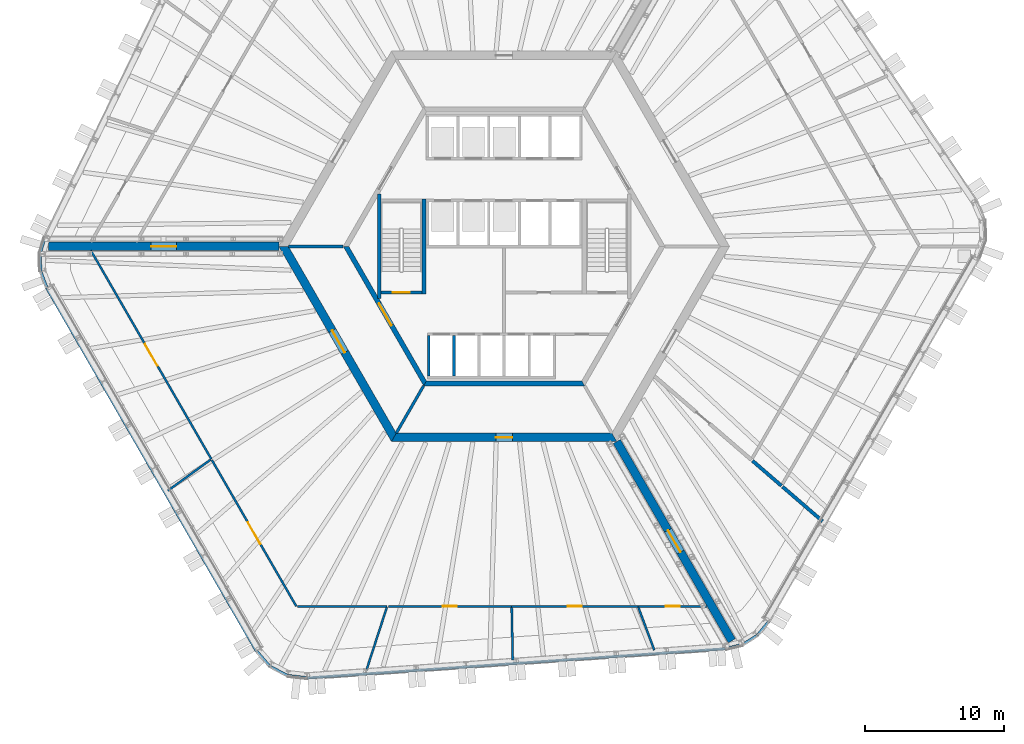
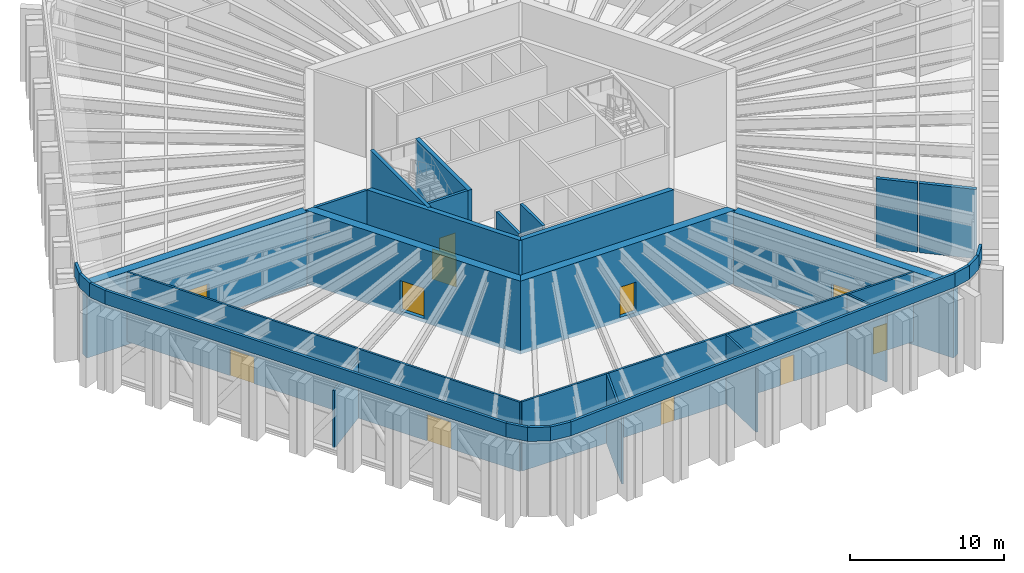
# One storey, part 13 of 27: 36 walls, 11 doors, 11 openings.
"""IFC4 building model written with IfcOpenShell, lengths in metres."""

from ifc_helpers import new_model, si_unit, direction, frame, frame_2d, origin, place, context, subcontext, project, spatial, polyline, rectangle, outline, extrude, material, layer, layer_set, type_object, element, fill, save


model = new_model("IFC4")

# Units and contexts
model_context = context("Model", 3, precision=1e-05, world=origin(), true_north=direction((0.0, 1.0)))
body_context = subcontext(model_context, "Body", "Model", "MODEL_VIEW")
ifc_project = project(units=[si_unit("LENGTHUNIT", "METRE"), si_unit("AREAUNIT", "SQUARE_METRE"), si_unit("VOLUMEUNIT", "CUBIC_METRE"), si_unit("PLANEANGLEUNIT", "RADIAN"), si_unit("MASSUNIT", "GRAM", prefix="KILO")], contexts=[model_context])

# Site, building, storey
site_placement = place(None, origin())
site = spatial("IfcSite", under=ifc_project, at=site_placement, CompositionType="ELEMENT")
building_placement = place(site_placement, origin())
building = spatial("IfcBuilding", under=site, at=building_placement, Name="Tarnside Tower", CompositionType="ELEMENT")
storey_placement = place(building_placement, frame((0.0, 0.0, 146.699951171875)))
storey = spatial("IfcBuildingStorey", under=building, at=storey_placement, Name="L34", CompositionType="ELEMENT", Elevation=146.699951171875)

# Wall, opening, door
ifc_material_1 = material(Name="Concrete C50/60", Category="concrete")
ifc_layer_1 = layer(ifc_material_1, 0.35009765625)
ifc_layer_set_1 = layer_set([ifc_layer_1], Name="Core block wall 350 C50/60")
wall_type_1 = type_object("IfcWallType", Name="Core block wall 350 C50/60", PredefinedType="SHEAR", material=ifc_layer_set_1)
wall_1_placement = place(storey_placement, frame((-11.344970703125, 0.0, -0.300048828125), z_axis=(0.0, 0.0, 1.0), x_axis=(0.499995046907, -0.866028263435, 0.0)))
wall_1 = element("IfcWall", 1, at=wall_1_placement, inside=storey, type_object=wall_type_1, Name="L34 core block wall face 3", PredefinedType="SHEAR", context=body_context, shape_type="SweptSolid", body=[
    extrude(outline(polyline([(-0.10107421875, -0.175048828125), (11.44580078125, -0.175048828125), (11.24365234375, 0.175048828125), (0.10107421875, 0.175048828125), (-0.10107421875, -0.175048828125)])), origin(), (0.0, 0.0, 1.0), 5.800048828125),
])
opening_1_placement = place(wall_1_placement, frame((4.74365234375, 0.0, 0.300048828125)))
opening_1 = element("IfcOpeningElement", 2, at=opening_1_placement, cuts=wall_1, Name="Opening CD-FFL", PredefinedType="OPENING", context=body_context, shape_type="SweptSolid", body=[
    extrude(rectangle(XDim=1.800048828125, YDim=2.39990234375, at=frame_2d((0.89990234375, 1.199951171875))), frame((0.0, 0.18505859375, 0.0), z_axis=(0.0, -1.0, 0.0), x_axis=(1.0, 0.0, 0.0)), (0.0, 0.0, 1.0), 0.3701171875),
])
ifc_material_2 = material(Name="Steel fire door", Category="steel")
door_type_1 = type_object("IfcDoorType", Name="Firefighting lobby double door FD60S 1800x2400", OperationType="NOTDEFINED", PredefinedType="DOOR", material=ifc_material_2)
door_1_placement = place(opening_1_placement, origin())
door_1 = element("IfcDoor", 3, at=door_1_placement, inside=storey, type_object=door_type_1, Name="L34 lobby block door P3", OperationType="DOUBLE_DOOR_SINGLE_SWING", OverallHeight=2.39990234375, OverallWidth=1.800048828125, PredefinedType="DOOR", context=body_context, shape_type="SweptSolid", body=[
    extrude(rectangle(XDim=1.800048828125, YDim=2.39990234375, at=frame_2d((0.89990234375, 1.199951171875))), frame((0.0, 0.02490234375, 0.0), z_axis=(0.0, -1.0, 0.0), x_axis=(1.0, 0.0, 0.0)), (0.0, 0.0, 1.0), 0.050048828125),
])
fill(opening_1, door_1)

# Wall
wall_2_placement = place(storey_placement, frame((-5.672607421875, -9.824951171875, -0.300048828125), z_axis=(0.0, 0.0, 1.0), x_axis=(1.0, 0.0, 0.0)))
element("IfcWall", 4, at=wall_2_placement, inside=storey, type_object=wall_type_1, Name="L34 core block wall face 4", PredefinedType="SHEAR", context=body_context, shape_type="SweptSolid", body=[
    extrude(outline(polyline([(-0.10107421875, -0.175048828125), (11.4462890625, -0.175048828125), (11.244140625, 0.175048828125), (0.10107421875, 0.175048828125), (-0.10107421875, -0.175048828125)])), origin(), (0.0, 0.0, 1.0), 5.800048828125),
])

# Wall, opening, door
ifc_material_3 = material(Name="Concrete C80/95", Category="concrete")
ifc_layer_2 = layer(ifc_material_3, 0.60009765625)
ifc_layer_set_2 = layer_set([ifc_layer_2], Name="Core wall Z1 600 C80/95")
wall_type_2 = type_object("IfcWallType", Name="Core wall Z1 600 C80/95", PredefinedType="SHEAR", material=ifc_layer_set_2)
wall_3_placement = place(storey_placement, frame((-15.8193359375, 0.0, -0.300048828125), z_axis=(0.0, 0.0, 1.0), x_axis=(0.499999880136, -0.866025472988, 0.0)))
wall_3 = element("IfcWall", 5, at=wall_3_placement, inside=storey, type_object=wall_type_2, Name="L34 core wall face 3", PredefinedType="SHEAR", context=body_context, shape_type="SweptSolid", body=[
    extrude(outline(polyline([(-0.17333984375, -0.300048828125), (15.99267578125, -0.300048828125), (15.64599609375, 0.300048828125), (0.17333984375, 0.300048828125), (-0.17333984375, -0.300048828125)])), origin(), (0.0, 0.0, 1.0), 5.800048828125),
])
opening_2_placement = place(wall_3_placement, frame((6.980712890625, 0.0, 0.300048828125)))
opening_2 = element("IfcOpeningElement", 6, at=opening_2_placement, cuts=wall_3, Name="Opening CD-FFL", PredefinedType="OPENING", context=body_context, shape_type="SweptSolid", body=[
    extrude(rectangle(XDim=1.800048828125, YDim=2.39990234375, at=frame_2d((0.89990234375, 1.199951171875))), frame((0.0, 0.31005859375, 0.0), z_axis=(0.0, -1.0, 0.0), x_axis=(1.0, 0.0, 0.0)), (0.0, 0.0, 1.0), 0.6201171875),
])
door_2_placement = place(opening_2_placement, origin())
door_2 = element("IfcDoor", 7, at=door_2_placement, inside=storey, type_object=door_type_1, Name="L34 core door P3", OperationType="DOUBLE_DOOR_SINGLE_SWING", OverallHeight=2.39990234375, OverallWidth=1.800048828125, PredefinedType="DOOR", context=body_context, shape_type="SweptSolid", body=[
    extrude(rectangle(XDim=1.800048828125, YDim=2.39990234375, at=frame_2d((0.89990234375, 1.199951171875))), frame((0.0, 0.02490234375, 0.0), z_axis=(0.0, -1.0, 0.0), x_axis=(1.0, 0.0, 0.0)), (0.0, 0.0, 1.0), 0.050048828125),
])
fill(opening_2, door_2)

wall_4_placement = place(storey_placement, frame((-7.90966796875, -13.699951171875, -0.300048828125), z_axis=(0.0, 0.0, 1.0), x_axis=(1.0, 0.0, 0.0)))
wall_4 = element("IfcWall", 8, at=wall_4_placement, inside=storey, type_object=wall_type_2, Name="L34 core wall face 4", PredefinedType="SHEAR", context=body_context, shape_type="SweptSolid", body=[
    extrude(outline(polyline([(-0.17333984375, -0.300048828125), (15.99267578125, -0.300048828125), (15.64599609375, 0.300048828125), (0.17333984375, 0.300048828125), (-0.17333984375, -0.300048828125)])), origin(), (0.0, 0.0, 1.0), 5.800048828125),
])
opening_3_placement = place(wall_4_placement, frame((7.309814453125, 0.0, 0.300048828125)))
opening_3 = element("IfcOpeningElement", 9, at=opening_3_placement, cuts=wall_4, Name="Opening CD-RSR", PredefinedType="OPENING", context=body_context, shape_type="SweptSolid", body=[
    extrude(rectangle(XDim=1.199951171875, YDim=2.39990234375, at=frame_2d((0.60009765625, 1.199951171875))), frame((0.0, 0.31005859375, 0.0), z_axis=(0.0, -1.0, 0.0), x_axis=(1.0, 0.0, 0.0)), (0.0, 0.0, 1.0), 0.6201171875),
])
door_type_2 = type_object("IfcDoorType", Name="Riser door FD60 1200x2400", OperationType="NOTDEFINED", PredefinedType="DOOR", material=ifc_material_2)
door_3_placement = place(opening_3_placement, origin())
door_3 = element("IfcDoor", 10, at=door_3_placement, inside=storey, type_object=door_type_2, Name="L34 core door S6", OperationType="SINGLE_SWING_LEFT", OverallHeight=2.39990234375, OverallWidth=1.199951171875, PredefinedType="DOOR", context=body_context, shape_type="SweptSolid", body=[
    extrude(rectangle(XDim=1.199951171875, YDim=2.39990234375, at=frame_2d((0.60009765625, 1.199951171875))), frame((0.0, 0.02490234375, 0.0), z_axis=(0.0, -1.0, 0.0), x_axis=(1.0, 0.0, 0.0)), (0.0, 0.0, 1.0), 0.050048828125),
])
fill(opening_3, door_3)

wall_5_placement = place(storey_placement, frame((-16.165771484375, 0.0, -0.300048828125), z_axis=(0.0, 0.0, 1.0), x_axis=(-1.0, 0.0, 0.0)))
wall_5 = element("IfcWall", 11, at=wall_5_placement, inside=storey, type_object=wall_type_2, Name="L34 spine wall 2", PredefinedType="SHEAR", context=body_context, shape_type="SweptSolid", body=[
    extrude(rectangle(XDim=16.509033203125, YDim=0.60009765625, at=frame_2d((8.25439453125, 0.0))), origin(), (0.0, 0.0, 1.0), 5.800048828125),
])
opening_4_placement = place(wall_5_placement, frame((7.3544921875, 0.0, 0.300048828125)))
opening_4 = element("IfcOpeningElement", 12, at=opening_4_placement, cuts=wall_5, Name="Opening CD-SPN", PredefinedType="OPENING", context=body_context, shape_type="SweptSolid", body=[
    extrude(rectangle(XDim=1.800048828125, YDim=2.39990234375, at=frame_2d((0.89990234375, 1.199951171875))), frame((0.0, 0.31005859375, 0.0), z_axis=(0.0, -1.0, 0.0), x_axis=(1.0, 0.0, 0.0)), (0.0, 0.0, 1.0), 0.6201171875),
])
door_type_3 = type_object("IfcDoorType", Name="Spine passage double door FD60 1800x2400", OperationType="NOTDEFINED", PredefinedType="DOOR", material=ifc_material_2)
door_4_placement = place(opening_4_placement, origin())
door_4 = element("IfcDoor", 13, at=door_4_placement, inside=storey, type_object=door_type_3, Name="L34 spine passage door 2", OperationType="DOUBLE_DOOR_SINGLE_SWING", OverallHeight=2.39990234375, OverallWidth=1.800048828125, PredefinedType="DOOR", context=body_context, shape_type="SweptSolid", body=[
    extrude(rectangle(XDim=1.800048828125, YDim=2.39990234375, at=frame_2d((0.89990234375, 1.199951171875))), frame((0.0, 0.02490234375, 0.0), z_axis=(0.0, -1.0, 0.0), x_axis=(1.0, 0.0, 0.0)), (0.0, 0.0, 1.0), 0.050048828125),
])
fill(opening_4, door_4)

wall_6_placement = place(storey_placement, frame((8.0830078125, -14.0, -0.300048828125), z_axis=(0.0, 0.0, 1.0), x_axis=(0.499997680643, -0.866026742862, 0.0)))
wall_6 = element("IfcWall", 14, at=wall_6_placement, inside=storey, type_object=wall_type_2, Name="L34 spine wall 3", PredefinedType="SHEAR", context=body_context, shape_type="SweptSolid", body=[
    extrude(rectangle(XDim=16.5087890625, YDim=0.60009765625, at=frame_2d((8.25439453125, 0.0))), origin(), (0.0, 0.0, 1.0), 5.800048828125),
])
opening_5_placement = place(wall_6_placement, frame((7.3544921875, 0.0, 0.300048828125)))
opening_5 = element("IfcOpeningElement", 15, at=opening_5_placement, cuts=wall_6, Name="Opening CD-SPN", PredefinedType="OPENING", context=body_context, shape_type="SweptSolid", body=[
    extrude(rectangle(XDim=1.800048828125, YDim=2.39990234375, at=frame_2d((0.89990234375, 1.199951171875))), frame((0.0, 0.31005859375, 0.0), z_axis=(0.0, -1.0, 0.0), x_axis=(1.0, 0.0, 0.0)), (0.0, 0.0, 1.0), 0.6201171875),
])
door_5_placement = place(opening_5_placement, origin())
door_5 = element("IfcDoor", 16, at=door_5_placement, inside=storey, type_object=door_type_3, Name="L34 spine passage door 3", OperationType="DOUBLE_DOOR_SINGLE_SWING", OverallHeight=2.39990234375, OverallWidth=1.800048828125, PredefinedType="DOOR", context=body_context, shape_type="SweptSolid", body=[
    extrude(rectangle(XDim=1.800048828125, YDim=2.39990234375, at=frame_2d((0.89990234375, 1.199951171875))), frame((0.0, 0.02490234375, 0.0), z_axis=(0.0, -1.0, 0.0), x_axis=(1.0, 0.0, 0.0)), (0.0, 0.0, 1.0), 0.050048828125),
])
fill(opening_5, door_5)

# Walls
ifc_material_4 = material(Name="Concrete C40/50", Category="concrete")
ifc_layer_3 = layer(ifc_material_4, 0.199951171875)
ifc_layer_set_3 = layer_set([ifc_layer_3], Name="Lift shaft wall 200 C40/50")
wall_type_3 = type_object("IfcWallType", Name="Lift shaft wall 200 C40/50", PredefinedType="SHEAR", material=ifc_layer_set_3)
for number, where, z_axis, x_axis, name in (
    (17, (-5.39990234375, -9.300048828125, -0.25), (0.0, 0.0, 1.0), (0.0, 1.0, 0.0), "L34 lift shaft partition R41"),
    (18, (-3.60009765625, -9.300048828125, -0.25), (0.0, 0.0, 1.0), (0.0, 1.0, 0.0), "L34 lift shaft partition R42"),
):
    element("IfcWall", number, at=place(storey_placement, frame(where, z_axis=z_axis, x_axis=x_axis)), inside=storey, type_object=wall_type_3, Name=name, PredefinedType="SHEAR", context=body_context, shape_type="SweptSolid", body=[
        extrude(rectangle(XDim=2.900146484375, YDim=0.199951171875, at=frame_2d((1.4501953125, 0.0))), origin(), (0.0, 0.0, 1.0), 5.75),
    ])
wall_7_placement = place(storey_placement, frame((-11.547119140625, 0.0, -0.300048828125), z_axis=(0.0, 0.0, 1.0), x_axis=(-1.0, 0.0, 0.0)))
element("IfcWall", 19, at=wall_7_placement, inside=storey, type_object=wall_type_3, Name="L34 core partition AR180", PredefinedType="SHEAR", context=body_context, shape_type="SweptSolid", body=[
    extrude(rectangle(XDim=3.92578125, YDim=0.199951171875, at=frame_2d((1.962890625, 0.0))), origin(), (0.0, 0.0, 1.0), 5.800048828125),
])
wall_8_placement = place(storey_placement, frame((-5.7734375, -10.0, -0.300048828125), z_axis=(0.0, 0.0, 1.0), x_axis=(-0.500038251005, -0.86600331843, 0.0)))
element("IfcWall", 20, at=wall_8_placement, inside=storey, type_object=wall_type_3, Name="L34 core partition AR240", PredefinedType="SHEAR", context=body_context, shape_type="SweptSolid", body=[
    extrude(rectangle(XDim=3.926025390625, YDim=0.199951171875, at=frame_2d((1.962890625, 0.0))), origin(), (0.0, 0.0, 1.0), 5.800048828125),
])

# Wall, opening, door
wall_9_placement = place(storey_placement, frame((-8.85009765625, -3.300048828125, -0.25), z_axis=(0.0, 0.0, 1.0), x_axis=(1.0, 0.0, 0.0)))
wall_9 = element("IfcWall", 21, at=wall_9_placement, inside=storey, type_object=wall_type_3, Name="L34 stair 2 enclosure cap wall s", PredefinedType="SHEAR", context=body_context, shape_type="SweptSolid", body=[
    extrude(rectangle(XDim=2.9501953125, YDim=0.199951171875, at=frame_2d((1.47509765625, 0.0))), origin(), (0.0, 0.0, 1.0), 5.75),
])
opening_6_placement = place(wall_9_placement, frame((0.875, 0.0, 0.25)))
opening_6 = element("IfcOpeningElement", 22, at=opening_6_placement, cuts=wall_9, Name="Opening CD-STR", PredefinedType="OPENING", context=body_context, shape_type="SweptSolid", body=[
    extrude(rectangle(XDim=1.199951171875, YDim=2.39990234375, at=frame_2d((0.60009765625, 1.199951171875))), frame((0.0, 0.10986328125, 0.0), z_axis=(0.0, -1.0, 0.0), x_axis=(1.0, 0.0, 0.0)), (0.0, 0.0, 1.0), 0.219970703125),
])
door_type_4 = type_object("IfcDoorType", Name="Stair door FD60S 1200x2400", OperationType="NOTDEFINED", PredefinedType="DOOR", material=ifc_material_2)
door_6_placement = place(opening_6_placement, origin())
door_6 = element("IfcDoor", 23, at=door_6_placement, inside=storey, type_object=door_type_4, Name="L34 stair 2 door", OperationType="SINGLE_SWING_LEFT", OverallHeight=2.39990234375, OverallWidth=1.199951171875, PredefinedType="DOOR", context=body_context, shape_type="SweptSolid", body=[
    extrude(rectangle(XDim=1.199951171875, YDim=2.39990234375, at=frame_2d((0.60009765625, 1.199951171875))), frame((0.0, 0.02490234375, 0.0), z_axis=(0.0, -1.0, 0.0), x_axis=(1.0, 0.0, 0.0)), (0.0, 0.0, 1.0), 0.050048828125),
])
fill(opening_6, door_6)

# Walls
ifc_material_5 = material(Name="Concrete C35/45 precast", Category="concrete")
ifc_layer_4 = layer(ifc_material_5, 0.199951171875)
ifc_layer_set_4 = layer_set([ifc_layer_4], Name="Parapet 200 x 1100")
wall_type_4 = type_object("IfcWallType", Name="Parapet 200 x 1100", PredefinedType="PARAPET", material=ifc_layer_set_4)
wall_10_placement = place(storey_placement, frame((18.986083984375, -26.915283203125, 5.699951171875), z_axis=(0.0, 0.0, 1.0), x_axis=(-0.63393735888, -0.773384396673, 0.0)))
element("IfcWall", 24, at=wall_10_placement, inside=storey, type_object=wall_type_4, Name="Roof parapet 09", PredefinedType="PARAPET", context=body_context, shape_type="SweptSolid", body=[
    extrude(outline(polyline([(0.008056640625, -0.10009765625), (1.25634765625, -0.10009765625), (1.2890625, 0.10009765625), (-0.008056640625, 0.10009765625), (0.008056640625, -0.10009765625)])), origin(), (0.0, 0.0, 1.0), 1.10009765625),
])
wall_11_placement = place(storey_placement, frame((18.17919921875, -27.899658203125, 5.699951171875), z_axis=(0.0, 0.0, 1.0), x_axis=(-0.847998304005, -0.529998940003, 0.0)))
element("IfcWall", 25, at=wall_11_placement, inside=storey, type_object=wall_type_4, Name="Roof parapet 10", PredefinedType="PARAPET", context=body_context, shape_type="SweptSolid", body=[
    extrude(outline(polyline([(0.016357421875, -0.10009765625), (1.248046875, -0.10009765625), (1.28076171875, 0.10009765625), (-0.016357421875, 0.10009765625), (0.016357421875, -0.10009765625)])), origin(), (0.0, 0.0, 1.0), 1.10009765625),
])
wall_12_placement = place(storey_placement, frame((17.10693359375, -28.56982421875, 5.699951171875), z_axis=(0.0, 0.0, 1.0), x_axis=(-0.97305877523, -0.230557194525, 0.0)))
element("IfcWall", 26, at=wall_12_placement, inside=storey, type_object=wall_type_4, Name="Roof parapet 11", PredefinedType="PARAPET", context=body_context, shape_type="SweptSolid", body=[
    extrude(outline(polyline([(0.016357421875, -0.10009765625), (1.2646484375, -0.10009765625), (1.28076171875, 0.10009765625), (-0.016357421875, 0.10009765625), (0.016357421875, -0.10009765625)])), origin(), (0.0, 0.0, 1.0), 1.10009765625),
])
wall_13_placement = place(storey_placement, frame((15.868408203125, -28.86328125, 5.699951171875), z_axis=(0.0, 0.0, 1.0), x_axis=(-0.99756405733, -0.069756372641, 0.0)))
element("IfcWall", 27, at=wall_13_placement, inside=storey, type_object=wall_type_4, Name="Roof parapet 12", PredefinedType="PARAPET", context=body_context, shape_type="SweptSolid", body=[
    extrude(outline(polyline([(0.008056640625, -0.10009765625), (30.04443359375, -0.10009765625), (30.06298828125, 0.10009765625), (-0.008056640625, 0.10009765625), (0.008056640625, -0.10009765625)])), origin(), (0.0, 0.0, 1.0), 1.10009765625),
])
wall_14_placement = place(storey_placement, frame((-14.112060546875, -30.959716796875, 5.699951171875), z_axis=(0.0, 0.0, 1.0), x_axis=(-0.993251202983, 0.115982963286, 0.0)))
element("IfcWall", 28, at=wall_14_placement, inside=storey, type_object=wall_type_4, Name="Roof parapet 13", PredefinedType="PARAPET", context=body_context, shape_type="SweptSolid", body=[
    extrude(outline(polyline([(0.00927734375, -0.10009765625), (1.43359375, -0.10009765625), (1.47119140625, 0.10009765625), (-0.00927734375, 0.10009765625), (0.00927734375, -0.10009765625)])), origin(), (0.0, 0.0, 1.0), 1.10009765625),
])
wall_15_placement = place(storey_placement, frame((-15.5546875, -30.791259765625, 5.699951171875), z_axis=(0.0, 0.0, 1.0), x_axis=(-0.882946998442, 0.46947268072, 0.0)))
element("IfcWall", 29, at=wall_15_placement, inside=storey, type_object=wall_type_4, Name="Roof parapet 14", PredefinedType="PARAPET", context=body_context, shape_type="SweptSolid", body=[
    extrude(outline(polyline([(0.018798828125, -0.10009765625), (1.42431640625, -0.10009765625), (1.4619140625, 0.10009765625), (-0.018798828125, 0.10009765625), (0.018798828125, -0.10009765625)])), origin(), (0.0, 0.0, 1.0), 1.10009765625),
])
wall_16_placement = place(storey_placement, frame((-16.828857421875, -30.11376953125, 5.699951171875), z_axis=(0.0, 0.0, 1.0), x_axis=(-0.651732002744, 0.75844933687, 0.0)))
element("IfcWall", 30, at=wall_16_placement, inside=storey, type_object=wall_type_4, Name="Roof parapet 15", PredefinedType="PARAPET", context=body_context, shape_type="SweptSolid", body=[
    extrude(outline(polyline([(0.018798828125, -0.10009765625), (1.443359375, -0.10009765625), (1.4619140625, 0.10009765625), (-0.018798828125, 0.10009765625), (0.018798828125, -0.10009765625)])), origin(), (0.0, 0.0, 1.0), 1.10009765625),
])
wall_17_placement = place(storey_placement, frame((-17.775634765625, -29.011962890625, 5.699951171875), z_axis=(0.0, 0.0, 1.0), x_axis=(-0.499996465352, 0.866027444505, 0.0)))
element("IfcWall", 31, at=wall_17_placement, inside=storey, type_object=wall_type_4, Name="Roof parapet 16", PredefinedType="PARAPET", context=body_context, shape_type="SweptSolid", body=[
    extrude(outline(polyline([(0.00927734375, -0.10009765625), (30.04541015625, -0.10009765625), (30.0615234375, 0.10009765625), (-0.00927734375, 0.10009765625), (0.00927734375, -0.10009765625)])), origin(), (0.0, 0.0, 1.0), 1.10009765625),
])
wall_18_placement = place(storey_placement, frame((-32.80224609375, -2.98486328125, 5.699951171875), z_axis=(0.0, 0.0, 1.0), x_axis=(-0.352930531417, 0.935649528399, 0.0)))
element("IfcWall", 32, at=wall_18_placement, inside=storey, type_object=wall_type_4, Name="Roof parapet 17", PredefinedType="PARAPET", context=body_context, shape_type="SweptSolid", body=[
    extrude(outline(polyline([(0.008056640625, -0.10009765625), (1.25634765625, -0.10009765625), (1.2890625, 0.10009765625), (-0.008056640625, 0.10009765625), (0.008056640625, -0.10009765625)])), origin(), (0.0, 0.0, 1.0), 1.10009765625),
])
wall_19_placement = place(storey_placement, frame((-33.25146484375, -1.7939453125, 5.699951171875), z_axis=(0.0, 0.0, 1.0), x_axis=(-0.034940984606, 0.999389377367, 0.0)))
element("IfcWall", 33, at=wall_19_placement, inside=storey, type_object=wall_type_4, Name="Roof parapet 18", PredefinedType="PARAPET", context=body_context, shape_type="SweptSolid", body=[
    extrude(outline(polyline([(0.016357421875, -0.10009765625), (1.248291015625, -0.10009765625), (1.281005859375, 0.10009765625), (-0.016357421875, 0.10009765625), (0.016357421875, -0.10009765625)])), origin(), (0.0, 0.0, 1.0), 1.10009765625),
])
wall_20_placement = place(storey_placement, frame((-33.295654296875, -0.530029296875, 5.699951171875), z_axis=(0.0, 0.0, 1.0), x_axis=(0.286784667578, 0.957995070156, 0.0)))
element("IfcWall", 34, at=wall_20_placement, inside=storey, type_object=wall_type_4, Name="Roof parapet 19", PredefinedType="PARAPET", context=body_context, shape_type="SweptSolid", body=[
    extrude(outline(polyline([(0.016357421875, -0.10009765625), (1.2646484375, -0.10009765625), (1.28076171875, 0.10009765625), (-0.016357421875, 0.10009765625), (0.016357421875, -0.10009765625)])), origin(), (0.0, 0.0, 1.0), 1.10009765625),
])

# Wall, opening, door
ifc_material_6 = material(Name="Gypsum board")
ifc_layer_5 = layer(ifc_material_6, 0.14990234375)
ifc_layer_set_5 = layer_set([ifc_layer_5], Name="Partition 150 gypsum board on metal stud")
wall_type_5 = type_object("IfcWallType", Name="Partition 150 gypsum board on metal stud", PredefinedType="PARTITIONING", material=ifc_layer_set_5)
wall_21_placement = place(storey_placement, frame((-21.00390625, -15.260009765625, 0.0), z_axis=(0.0, 0.0, 1.0), x_axis=(-0.500003019955, 0.866023660206, 0.0)))
wall_21 = element("IfcWall", 35, at=wall_21_placement, inside=storey, type_object=wall_type_5, Name="Partition 000", PredefinedType="PARTITIONING", context=body_context, shape_type="SweptSolid", body=[
    extrude(rectangle(XDim=17.2744140625, YDim=0.14990234375, at=frame_2d((8.63720703125, 0.0))), origin(), (0.0, 0.0, 1.0), 5.5),
])
opening_7_placement = place(wall_21_placement, frame((7.737060546875, 0.0, 0.0)))
opening_7 = element("IfcOpeningElement", 36, at=opening_7_placement, cuts=wall_21, Name="Opening D1800F30", PredefinedType="OPENING", context=body_context, shape_type="SweptSolid", body=[
    extrude(rectangle(XDim=1.800048828125, YDim=2.10009765625, at=frame_2d((0.89990234375, 1.050048828125))), frame((0.0, 0.0849609375, 0.0), z_axis=(0.0, -1.0, 0.0), x_axis=(1.0, 0.0, 0.0)), (0.0, 0.0, 1.0), 0.169921875),
])
ifc_material_7 = material(Name="Timber door leaf", Category="wood")
door_type_5 = type_object("IfcDoorType", Name="Door pair 1800 x 2100 FD30S fire door", OperationType="NOTDEFINED", PredefinedType="DOOR", material=ifc_material_7)
door_7_placement = place(opening_7_placement, origin())
door_7 = element("IfcDoor", 37, at=door_7_placement, inside=storey, type_object=door_type_5, Name="Door L34-01", OperationType="DOUBLE_DOOR_SINGLE_SWING", OverallHeight=2.10009765625, OverallWidth=1.800048828125, PredefinedType="DOOR", context=body_context, shape_type="SweptSolid", body=[
    extrude(rectangle(XDim=1.800048828125, YDim=2.10009765625, at=frame_2d((0.89990234375, 1.050048828125))), frame((0.0, 0.02490234375, 0.0), z_axis=(0.0, -1.0, 0.0), x_axis=(1.0, 0.0, 0.0)), (0.0, 0.0, 1.0), 0.050048828125),
])
fill(opening_7, door_7)

# Wall
wall_22_placement = place(storey_placement, frame((-24.118896484375, -17.523681640625, 0.0), z_axis=(0.0, 0.0, 1.0), x_axis=(0.808965341516, 0.587856339786, 0.0)))
element("IfcWall", 38, at=wall_22_placement, inside=storey, type_object=wall_type_5, Name="Partition 004", PredefinedType="PARTITIONING", context=body_context, shape_type="SweptSolid", body=[
    extrude(rectangle(XDim=3.775146484375, YDim=0.14990234375, at=frame_2d((1.8876953125, 0.0))), origin(), (0.0, 0.0, 1.0), 4.573486328125),
])

# Wall, opening, door
wall_23_placement = place(storey_placement, frame((-14.906982421875, -25.820068359375, 0.0), z_axis=(0.0, 0.0, 1.0), x_axis=(-0.500006708318, 0.866021530701, 0.0)))
wall_23 = element("IfcWall", 39, at=wall_23_placement, inside=storey, type_object=wall_type_5, Name="Partition 005", PredefinedType="PARTITIONING", context=body_context, shape_type="SweptSolid", body=[
    extrude(rectangle(XDim=12.118408203125, YDim=0.14990234375, at=frame_2d((6.05908203125, 0.0))), origin(), (0.0, 0.0, 1.0), 5.5),
])
opening_8_placement = place(wall_23_placement, frame((5.1591796875, 0.0, 0.0)))
opening_8 = element("IfcOpeningElement", 40, at=opening_8_placement, cuts=wall_23, Name="Opening D1800F30", PredefinedType="OPENING", context=body_context, shape_type="SweptSolid", body=[
    extrude(rectangle(XDim=1.800048828125, YDim=2.10009765625, at=frame_2d((0.89990234375, 1.050048828125))), frame((0.0, 0.0849609375, 0.0), z_axis=(0.0, -1.0, 0.0), x_axis=(1.0, 0.0, 0.0)), (0.0, 0.0, 1.0), 0.169921875),
])
door_8_placement = place(opening_8_placement, origin())
door_8 = element("IfcDoor", 41, at=door_8_placement, inside=storey, type_object=door_type_5, Name="Door L34-03", OperationType="DOUBLE_DOOR_SINGLE_SWING", OverallHeight=2.10009765625, OverallWidth=1.800048828125, PredefinedType="DOOR", context=body_context, shape_type="SweptSolid", body=[
    extrude(rectangle(XDim=1.800048828125, YDim=2.10009765625, at=frame_2d((0.89990234375, 1.050048828125))), frame((0.0, 0.02490234375, 0.0), z_axis=(0.0, -1.0, 0.0), x_axis=(1.0, 0.0, 0.0)), (0.0, 0.0, 1.0), 0.050048828125),
])
fill(opening_8, door_8)

# Walls
wall_24_placement = place(storey_placement, frame((-14.8203125, -25.820068359375, 0.0), z_axis=(0.0, 0.0, 1.0), x_axis=(1.0, 0.0, 0.0)))
element("IfcWall", 42, at=wall_24_placement, inside=storey, type_object=wall_type_5, Name="Partition 008", PredefinedType="PARTITIONING", context=body_context, shape_type="SweptSolid", body=[
    extrude(rectangle(XDim=6.431396484375, YDim=0.14990234375, at=frame_2d((3.2158203125, 0.0))), origin(), (0.0, 0.0, 1.0), 5.5),
])
wall_25_placement = place(storey_placement, frame((-9.876708984375, -30.398193359375, 0.0), z_axis=(0.0, 0.0, 1.0), x_axis=(0.309056925189, 0.95104354106, 0.0)))
element("IfcWall", 43, at=wall_25_placement, inside=storey, type_object=wall_type_5, Name="Partition 011", PredefinedType="PARTITIONING", context=body_context, shape_type="SweptSolid", body=[
    extrude(rectangle(XDim=4.73486328125, YDim=0.14990234375, at=frame_2d((2.367431640625, 0.0))), origin(), (0.0, 0.0, 1.0), 5.5),
])

# Wall, opening, door
wall_26_placement = place(storey_placement, frame((0.541015625, -25.820068359375, 0.0), z_axis=(0.0, 0.0, 1.0), x_axis=(-1.0, 0.0, 0.0)))
wall_26 = element("IfcWall", 44, at=wall_26_placement, inside=storey, type_object=wall_type_5, Name="Partition 012", PredefinedType="PARTITIONING", context=body_context, shape_type="SweptSolid", body=[
    extrude(rectangle(XDim=8.85107421875, YDim=0.14990234375, at=frame_2d((4.425537109375, 0.0))), origin(), (0.0, 0.0, 1.0), 5.5),
])
opening_9_placement = place(wall_26_placement, frame((3.925537109375, 0.0, 0.0)))
opening_9 = element("IfcOpeningElement", 45, at=opening_9_placement, cuts=wall_26, Name="Opening D1000", PredefinedType="OPENING", context=body_context, shape_type="SweptSolid", body=[
    extrude(rectangle(XDim=1.0, YDim=2.10009765625, at=frame_2d((0.5, 1.050048828125))), frame((0.0, 0.0849609375, 0.0), z_axis=(0.0, -1.0, 0.0), x_axis=(1.0, 0.0, 0.0)), (0.0, 0.0, 1.0), 0.169921875),
])
door_type_6 = type_object("IfcDoorType", Name="Door 1000 x 2100 single leaf", OperationType="NOTDEFINED", PredefinedType="DOOR", material=ifc_material_7)
door_9_placement = place(opening_9_placement, origin())
door_9 = element("IfcDoor", 46, at=door_9_placement, inside=storey, type_object=door_type_6, Name="Door L34-07", OperationType="SINGLE_SWING_RIGHT", OverallHeight=2.10009765625, OverallWidth=1.0, PredefinedType="DOOR", context=body_context, shape_type="SweptSolid", body=[
    extrude(rectangle(XDim=1.0, YDim=2.10009765625, at=frame_2d((0.5, 1.050048828125))), frame((0.0, 0.02490234375, 0.0), z_axis=(0.0, -1.0, 0.0), x_axis=(1.0, 0.0, 0.0)), (0.0, 0.0, 1.0), 0.050048828125),
])
fill(opening_9, door_9)

wall_27_placement = place(storey_placement, frame((9.60205078125, -25.820068359375, 0.0), z_axis=(0.0, 0.0, 1.0), x_axis=(-1.0, 0.0, 0.0)))
wall_27 = element("IfcWall", 47, at=wall_27_placement, inside=storey, type_object=wall_type_5, Name="Partition 015", PredefinedType="PARTITIONING", context=body_context, shape_type="SweptSolid", body=[
    extrude(rectangle(XDim=9.06103515625, YDim=0.14990234375, at=frame_2d((4.530517578125, 0.0))), origin(), (0.0, 0.0, 1.0), 5.5),
])
opening_10_placement = place(wall_27_placement, frame((4.030517578125, 0.0, 0.0)))
opening_10 = element("IfcOpeningElement", 48, at=opening_10_placement, cuts=wall_27, Name="Opening D1000", PredefinedType="OPENING", context=body_context, shape_type="SweptSolid", body=[
    extrude(rectangle(XDim=1.0, YDim=2.10009765625, at=frame_2d((0.5, 1.050048828125))), frame((0.0, 0.0849609375, 0.0), z_axis=(0.0, -1.0, 0.0), x_axis=(1.0, 0.0, 0.0)), (0.0, 0.0, 1.0), 0.169921875),
])
door_10_placement = place(opening_10_placement, origin())
door_10 = element("IfcDoor", 49, at=door_10_placement, inside=storey, type_object=door_type_6, Name="Door L34-09", OperationType="SINGLE_SWING_RIGHT", OverallHeight=2.10009765625, OverallWidth=1.0, PredefinedType="DOOR", context=body_context, shape_type="SweptSolid", body=[
    extrude(rectangle(XDim=1.0, YDim=2.10009765625, at=frame_2d((0.5, 1.050048828125))), frame((0.0, 0.02490234375, 0.0), z_axis=(0.0, -1.0, 0.0), x_axis=(1.0, 0.0, 0.0)), (0.0, 0.0, 1.0), 0.050048828125),
])
fill(opening_10, door_10)

# Wall
wall_28_placement = place(storey_placement, frame((0.62109375, -29.678955078125, 0.0), z_axis=(0.0, 0.0, 1.0), x_axis=(-0.020771051759, 0.999784258432, 0.0)))
element("IfcWall", 50, at=wall_28_placement, inside=storey, type_object=wall_type_5, Name="Partition 016", PredefinedType="PARTITIONING", context=body_context, shape_type="SweptSolid", body=[
    extrude(rectangle(XDim=3.78466796875, YDim=0.14990234375, at=frame_2d((1.892333984375, 0.0))), origin(), (0.0, 0.0, 1.0), 5.5),
])

# Wall, opening, door
wall_29_placement = place(storey_placement, frame((14.56103515625, -25.820068359375, 0.0), z_axis=(0.0, 0.0, 1.0), x_axis=(-1.0, 0.0, 0.0)))
wall_29 = element("IfcWall", 51, at=wall_29_placement, inside=storey, type_object=wall_type_5, Name="Partition 017", PredefinedType="PARTITIONING", context=body_context, shape_type="SweptSolid", body=[
    extrude(rectangle(XDim=4.958984375, YDim=0.14990234375, at=frame_2d((2.4794921875, 0.0))), origin(), (0.0, 0.0, 1.0), 5.5),
])
opening_11_placement = place(wall_29_placement, frame((1.9794921875, 0.0, 0.0)))
opening_11 = element("IfcOpeningElement", 52, at=opening_11_placement, cuts=wall_29, Name="Opening D1000", PredefinedType="OPENING", context=body_context, shape_type="SweptSolid", body=[
    extrude(rectangle(XDim=1.0, YDim=2.10009765625, at=frame_2d((0.5, 1.050048828125))), frame((0.0, 0.0849609375, 0.0), z_axis=(0.0, -1.0, 0.0), x_axis=(1.0, 0.0, 0.0)), (0.0, 0.0, 1.0), 0.169921875),
])
door_11_placement = place(opening_11_placement, origin())
door_11 = element("IfcDoor", 53, at=door_11_placement, inside=storey, type_object=door_type_6, Name="Door L34-10", OperationType="SINGLE_SWING_LEFT", OverallHeight=2.10009765625, OverallWidth=1.0, PredefinedType="DOOR", context=body_context, shape_type="SweptSolid", body=[
    extrude(rectangle(XDim=1.0, YDim=2.10009765625, at=frame_2d((0.5, 1.050048828125))), frame((0.0, 0.02490234375, 0.0), z_axis=(0.0, -1.0, 0.0), x_axis=(1.0, 0.0, 0.0)), (0.0, 0.0, 1.0), 0.050048828125),
])
fill(opening_11, door_11)

# Walls
wall_30_placement = place(storey_placement, frame((10.770751953125, -28.96142578125, 0.0), z_axis=(0.0, 0.0, 1.0), x_axis=(-0.348701701209, 0.937233761435, 0.0)))
element("IfcWall", 54, at=wall_30_placement, inside=storey, type_object=wall_type_5, Name="Partition 018", PredefinedType="PARTITIONING", context=body_context, shape_type="SweptSolid", body=[
    extrude(rectangle(XDim=3.271728515625, YDim=0.14990234375, at=frame_2d((1.6357421875, 0.0))), origin(), (0.0, 0.0, 1.0), 5.5),
])
ifc_layer_6 = layer(ifc_material_4, 0.25)
ifc_layer_set_6 = layer_set([ifc_layer_6], Name="Stair enclosure wall 250 C40/50")
wall_type_6 = type_object("IfcWallType", Name="Stair enclosure wall 250 C40/50", PredefinedType="SHEAR", material=ifc_layer_set_6)
wall_31_placement = place(storey_placement, frame((-8.97509765625, -3.7548828125, -0.25), z_axis=(0.0, 0.0, 1.0), x_axis=(0.0, 1.0, 0.0)))
element("IfcWall", 55, at=wall_31_placement, inside=storey, type_object=wall_type_6, Name="L34 stair 2 enclosure wall outer", PredefinedType="SHEAR", context=body_context, shape_type="SweptSolid", body=[
    extrude(rectangle(XDim=7.509765625, YDim=0.25, at=frame_2d((3.7548828125, 0.0))), origin(), (0.0, 0.0, 1.0), 5.75),
])
ifc_layer_7 = layer(ifc_material_4, 0.300048828125)
ifc_layer_set_7 = layer_set([ifc_layer_7], Name="Stair enclosure wall 300 C40/50")
wall_type_7 = type_object("IfcWallType", Name="Stair enclosure wall 300 C40/50", PredefinedType="SHEAR", material=ifc_layer_set_7)
wall_32_placement = place(storey_placement, frame((-5.75, -3.39990234375, -0.25), z_axis=(0.0, 0.0, 1.0), x_axis=(0.0, 1.0, 0.0)))
element("IfcWall", 56, at=wall_32_placement, inside=storey, type_object=wall_type_7, Name="L34 stair 2 enclosure wall inner", PredefinedType="SHEAR", context=body_context, shape_type="SweptSolid", body=[
    extrude(rectangle(XDim=6.7998046875, YDim=0.300048828125, at=frame_2d((3.39990234375, 0.0))), origin(), (0.0, 0.0, 1.0), 5.75),
])
ifc_material_8 = material(Name="Concrete C32/40", Category="concrete")
ifc_layer_8 = layer(ifc_material_8, 0.25)
ifc_layer_set_8 = layer_set([ifc_layer_8], Name="Wall 250 reinforced Concrete C32/40")
wall_type_8 = type_object("IfcWallType", Name="Wall 250 reinforced Concrete C32/40", PredefinedType="PARTITIONING", material=ifc_layer_set_8)
wall_33_placement = place(storey_placement, frame((19.89794921875, -17.176025390625, 0.0), z_axis=(0.0, 0.0, 1.0), x_axis=(-0.756944808976, 0.6534788108, 0.0)))
element("IfcWall", 57, at=wall_33_placement, inside=storey, type_object=wall_type_8, Name="Partition 024", PredefinedType="PARTITIONING", context=body_context, shape_type="SweptSolid", body=[
    extrude(rectangle(XDim=2.7490234375, YDim=0.25, at=frame_2d((1.37451171875, 0.0))), origin(), (0.0, 0.0, 1.0), 5.5),
])
wall_34_placement = place(storey_placement, frame((22.847412109375, -19.720703125, 0.0), z_axis=(0.0, 0.0, 1.0), x_axis=(-0.757131139974, 0.653262915587, 0.0)))
element("IfcWall", 58, at=wall_34_placement, inside=storey, type_object=wall_type_8, Name="Partition 027", PredefinedType="PARTITIONING", context=body_context, shape_type="SweptSolid", body=[
    extrude(rectangle(XDim=3.793701171875, YDim=0.25, at=frame_2d((1.89697265625, 0.0))), origin(), (0.0, 0.0, 1.0), 5.5),
])

save(model, "model.ifc")
